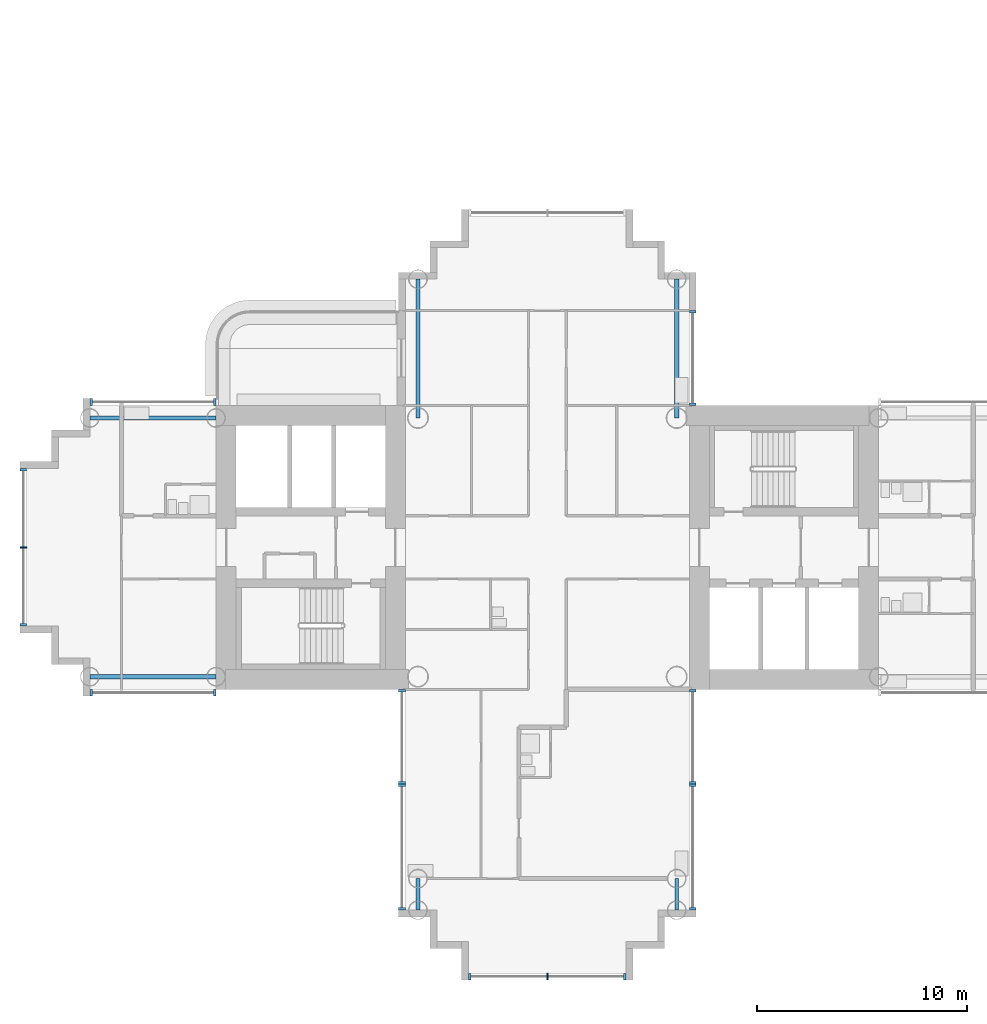
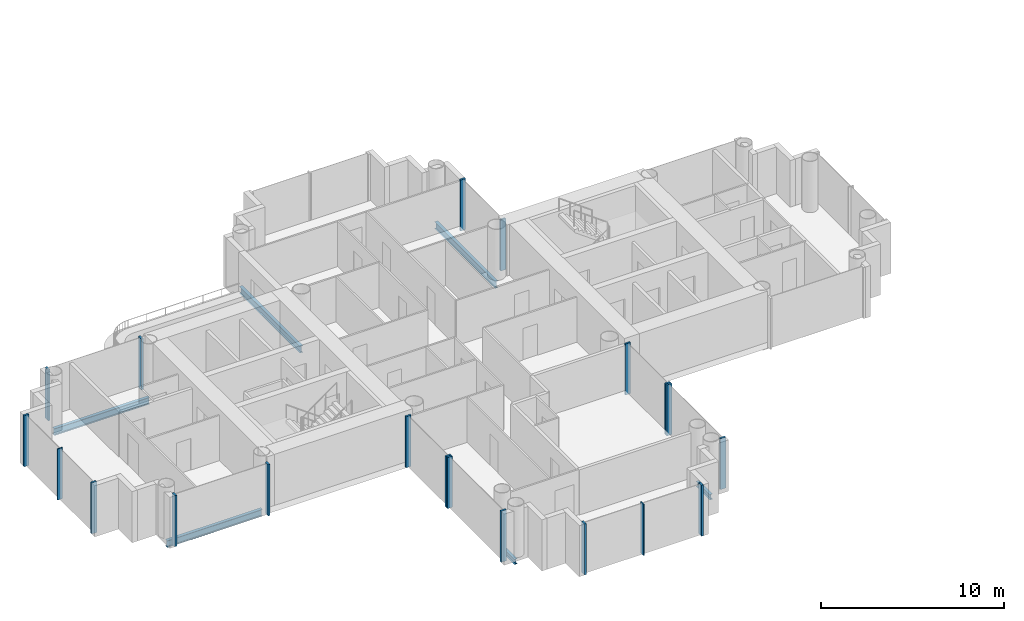
# One storey, part 3 of 21: 20 members, 6 beams, 9 elements without a shape of their own.
"""IFC4 building model written with IfcOpenShell, lengths in metres."""

from ifc_helpers import new_model, si_unit, direction, frame, origin, origin_2d, place, context, subcontext, project, spatial, rectangle, i_section, extrude, material, layer, layer_set, material_profile, profile_set, type_object, element, aggregate, save


model = new_model("IFC4")

# Units and contexts
model_context = context("Model", 3, precision=1e-05, world=origin(), true_north=direction((0.0, 1.0)))
body_context = subcontext(model_context, "Body", "Model", "MODEL_VIEW")
ifc_project = project(units=[si_unit("LENGTHUNIT", "METRE"), si_unit("AREAUNIT", "SQUARE_METRE"), si_unit("VOLUMEUNIT", "CUBIC_METRE"), si_unit("PLANEANGLEUNIT", "RADIAN"), si_unit("MASSUNIT", "GRAM", prefix="KILO")], contexts=[model_context])

# Site, building, storey
site_placement = place(None, origin())
site = spatial("IfcSite", under=ifc_project, at=site_placement, CompositionType="ELEMENT")
building_placement = place(site_placement, origin())
building = spatial("IfcBuilding", under=site, at=building_placement, Name="Ipe Terrace Towers", CompositionType="ELEMENT")
storey_placement = place(building_placement, frame((0.0, 0.0, 117.39990234375)))
storey = spatial("IfcBuildingStorey", under=building, at=storey_placement, Name="L32", CompositionType="ELEMENT", Elevation=117.39990234375)

# Beams
ifc_material_1 = material(Name="Steel S355", Category="steel")
ifc_material_profile_1 = material_profile(ifc_material_1, i_section(OverallWidth=0.175048828125, OverallDepth=0.35009765625, WebThickness=0.007080078125, FlangeThickness=0.010986328125, at=origin_2d()), Name="H-350x175x7x11")
ifc_profile_set_1 = profile_set([ifc_material_profile_1], Name="Steel S355")
beam_type_1 = type_object("IfcBeamType", Name="H04 EDGE BEAM H-350x175x7x11", PredefinedType="BEAM", material=ifc_profile_set_1)
for number, where, z_axis, x_axis, name in (
    (1, (-42.14990234375, -15.75, -0.574951171875), (0.0, -1.0, 0.0), (1.0, 0.0, 0.0), "Edge beam T1-EB-D03-D05"),
    (2, (-29.85009765625, -15.75, -0.574951171875), (0.0, -1.0, 0.0), (1.0, 0.0, 0.0), "Edge beam T1-EB-D04-D06"),
):
    element("IfcBeam", number, at=place(storey_placement, frame(where, z_axis=z_axis, x_axis=x_axis)), inside=storey, type_object=beam_type_1, Name=name, PredefinedType="BEAM", context=body_context, shape_type="SweptSolid", body=[
        extrude(i_section(OverallWidth=0.175048828125, OverallDepth=0.35009765625, WebThickness=0.007080078125, FlangeThickness=0.010986328125, at=origin_2d()), origin(), (0.0, 0.0, 1.0), 1.5),
    ])
ifc_material_2 = material(Name="Steel S355", Category="steel")
ifc_material_profile_2 = material_profile(ifc_material_2, i_section(OverallWidth=0.199951171875, OverallDepth=0.449951171875, WebThickness=0.009033203125, FlangeThickness=0.013916015625, at=origin_2d()), Name="H-450x200x9x14")
ifc_profile_set_2 = profile_set([ifc_material_profile_2], Name="Steel S355")
beam_type_2 = type_object("IfcBeamType", Name="H08 EDGE BEAM H-450x200x9x14", PredefinedType="BEAM", material=ifc_profile_set_2)
for number, where, z_axis, x_axis, name in (
    (3, (-29.85009765625, 12.75, -0.625), (0.0, -1.0, 0.0), (1.0, 0.0, 0.0), "Edge beam T1-EB-B01-E03"),
    (4, (-42.14990234375, 12.75, -0.625), (0.0, -1.0, 0.0), (1.0, 0.0, 0.0), "Edge beam T1-EB-B02-E04"),
):
    element("IfcBeam", number, at=place(storey_placement, frame(where, z_axis=z_axis, x_axis=x_axis)), inside=storey, type_object=beam_type_2, Name=name, PredefinedType="BEAM", context=body_context, shape_type="SweptSolid", body=[
        extrude(i_section(OverallWidth=0.199951171875, OverallDepth=0.449951171875, WebThickness=0.009033203125, FlangeThickness=0.013916015625, at=origin_2d()), origin(), (0.0, 0.0, 1.0), 6.60009765625),
    ])
for number, where, z_axis, x_axis, name in (
    (5, (-51.75, -6.14990234375, -0.625), (-1.0, 0.0, 0.0), (0.0, -1.0, 0.0), "Edge beam T1-EB-C01-C03"),
    (6, (-51.75, 6.14990234375, -0.625), (-1.0, 0.0, 0.0), (0.0, -1.0, 0.0), "Edge beam T1-EB-C02-C04"),
):
    element("IfcBeam", number, at=place(storey_placement, frame(where, z_axis=z_axis, x_axis=x_axis)), inside=storey, type_object=beam_type_2, Name=name, PredefinedType="BEAM", context=body_context, shape_type="SweptSolid", body=[
        extrude(i_section(OverallWidth=0.199951171875, OverallDepth=0.449951171875, WebThickness=0.009033203125, FlangeThickness=0.013916015625, at=origin_2d()), origin(), (0.0, 0.0, 1.0), 6.0),
    ])

# Curtain wall, members
ifc_material_3 = material(Name="Aluminium alloy 6063-T6", Category="aluminium")
ifc_layer = layer(ifc_material_3, 0.320068359375)
ifc_layer_set = layer_set([ifc_layer], Name="TOWER UNITISED CURTAIN WALL")
curtain_wall_type = type_object("IfcCurtainWallType", Name="TOWER UNITISED CURTAIN WALL", PredefinedType="NOTDEFINED", material=ifc_layer_set)
curtain_wall_1_placement = place(storey_placement, origin())
curtain_wall_1 = element("IfcCurtainWall", 7, at=curtain_wall_1_placement, inside=storey, type_object=curtain_wall_type, Name="T1-CW-L32-04a curtain wall", PredefinedType="NOTDEFINED")
ifc_material_4 = material(Name="Aluminium alloy 6063-T6", Category="aluminium")
ifc_material_profile_3 = material_profile(ifc_material_4, rectangle(XDim=0.320068359375, YDim=0.1201171875, at=origin_2d()), Name="TOWER UNITISED CORNER MULLION 320 x 120")
ifc_profile_set_3 = profile_set([ifc_material_profile_3], Name="Aluminium alloy 6063-T6")
member_type_1 = type_object("IfcMemberType", Name="TOWER UNITISED CORNER MULLION 320 x 120", PredefinedType="MULLION", material=ifc_profile_set_3)
member_1_placement = place(storey_placement, frame((-57.68994140625, -6.909912109375, -0.2998046875), z_axis=(0.0, 0.0, 1.0), x_axis=(0.0, -1.0, 0.0)))
member_1 = element("IfcMember", 8, at=member_1_placement, type_object=member_type_1, Name="T1-CW-L32-04a mullion 1", PredefinedType="MULLION", context=body_context, shape_type="SweptSolid", body=[
    extrude(rectangle(XDim=0.320068359375, YDim=0.1201171875, at=origin_2d()), origin(), (0.0, 0.0, 1.0), 3.39990234375),
])
member_2_placement = place(storey_placement, frame((-51.81103515625, -6.909912109375, -0.2998046875), z_axis=(0.0, 0.0, 1.0), x_axis=(0.0, -1.0, 0.0)))
member_2 = element("IfcMember", 9, at=member_2_placement, type_object=member_type_1, Name="T1-CW-L32-04a mullion 2", PredefinedType="MULLION", context=body_context, shape_type="SweptSolid", body=[
    extrude(rectangle(XDim=0.320068359375, YDim=0.1201171875, at=origin_2d()), origin(), (0.0, 0.0, 1.0), 3.39990234375),
])
aggregate(curtain_wall_1, [member_1, member_2])

curtain_wall_2_placement = place(storey_placement, origin())
curtain_wall_2 = element("IfcCurtainWall", 10, at=curtain_wall_2_placement, inside=storey, type_object=curtain_wall_type, Name="T1-CW-L32-06a curtain wall", PredefinedType="NOTDEFINED")
member_3_placement = place(storey_placement, frame((-42.909912109375, -6.81005859375, -0.2998046875), z_axis=(0.0, 0.0, 1.0), x_axis=(-1.0, 0.0, 0.0)))
member_3 = element("IfcMember", 11, at=member_3_placement, type_object=member_type_1, Name="T1-CW-L32-06a mullion 1", PredefinedType="MULLION", context=body_context, shape_type="SweptSolid", body=[
    extrude(rectangle(XDim=0.320068359375, YDim=0.1201171875, at=origin_2d()), origin(), (0.0, 0.0, 1.0), 3.39990234375),
])
member_4_placement = place(storey_placement, frame((-42.909912109375, -11.18994140625, -0.2998046875), z_axis=(0.0, 0.0, 1.0), x_axis=(-1.0, 0.0, 0.0)))
member_4 = element("IfcMember", 12, at=member_4_placement, type_object=member_type_1, Name="T1-CW-L32-06a mullion 2", PredefinedType="MULLION", context=body_context, shape_type="SweptSolid", body=[
    extrude(rectangle(XDim=0.320068359375, YDim=0.1201171875, at=origin_2d()), origin(), (0.0, 0.0, 1.0), 3.39990234375),
])
aggregate(curtain_wall_2, [member_3, member_4])

curtain_wall_3_placement = place(storey_placement, origin())
curtain_wall_3 = element("IfcCurtainWall", 13, at=curtain_wall_3_placement, inside=storey, type_object=curtain_wall_type, Name="T1-CW-L32-07a curtain wall", PredefinedType="NOTDEFINED")
member_5_placement = place(storey_placement, frame((-42.909912109375, -11.31005859375, -0.2998046875), z_axis=(0.0, 0.0, 1.0), x_axis=(-1.0, 0.0, 0.0)))
member_5 = element("IfcMember", 14, at=member_5_placement, type_object=member_type_1, Name="T1-CW-L32-07a mullion 1", PredefinedType="MULLION", context=body_context, shape_type="SweptSolid", body=[
    extrude(rectangle(XDim=0.320068359375, YDim=0.1201171875, at=origin_2d()), origin(), (0.0, 0.0, 1.0), 3.39990234375),
])
member_6_placement = place(storey_placement, frame((-42.909912109375, -17.18994140625, -0.2998046875), z_axis=(0.0, 0.0, 1.0), x_axis=(-1.0, 0.0, 0.0)))
member_6 = element("IfcMember", 15, at=member_6_placement, type_object=member_type_1, Name="T1-CW-L32-07a mullion 2", PredefinedType="MULLION", context=body_context, shape_type="SweptSolid", body=[
    extrude(rectangle(XDim=0.320068359375, YDim=0.1201171875, at=origin_2d()), origin(), (0.0, 0.0, 1.0), 3.39990234375),
])
aggregate(curtain_wall_3, [member_5, member_6])

curtain_wall_4_placement = place(storey_placement, origin())
curtain_wall_4 = element("IfcCurtainWall", 16, at=curtain_wall_4_placement, inside=storey, type_object=curtain_wall_type, Name="T1-CW-L32-12a curtain wall", PredefinedType="NOTDEFINED")
member_7_placement = place(storey_placement, frame((-39.68994140625, -20.409912109375, -0.2998046875), z_axis=(0.0, 0.0, 1.0), x_axis=(0.0, -1.0, 0.0)))
member_7 = element("IfcMember", 17, at=member_7_placement, type_object=member_type_1, Name="T1-CW-L32-12a mullion 1", PredefinedType="MULLION", context=body_context, shape_type="SweptSolid", body=[
    extrude(rectangle(XDim=0.320068359375, YDim=0.1201171875, at=origin_2d()), origin(), (0.0, 0.0, 1.0), 3.39990234375),
])
member_8_placement = place(storey_placement, frame((-32.31005859375, -20.409912109375, -0.2998046875), z_axis=(0.0, 0.0, 1.0), x_axis=(0.0, -1.0, 0.0)))
member_8 = element("IfcMember", 18, at=member_8_placement, type_object=member_type_1, Name="T1-CW-L32-12a mullion 3", PredefinedType="MULLION", context=body_context, shape_type="SweptSolid", body=[
    extrude(rectangle(XDim=0.320068359375, YDim=0.1201171875, at=origin_2d()), origin(), (0.0, 0.0, 1.0), 3.39990234375),
])

curtain_wall_5_placement = place(storey_placement, origin())
curtain_wall_5 = element("IfcCurtainWall", 19, at=curtain_wall_5_placement, inside=storey, type_object=curtain_wall_type, Name="T1-CW-L32-17a curtain wall", PredefinedType="NOTDEFINED")
member_9_placement = place(storey_placement, frame((-29.090087890625, -17.18994140625, -0.2998046875), z_axis=(0.0, 0.0, 1.0), x_axis=(1.0, 0.0, 0.0)))
member_9 = element("IfcMember", 20, at=member_9_placement, type_object=member_type_1, Name="T1-CW-L32-17a mullion 1", PredefinedType="MULLION", context=body_context, shape_type="SweptSolid", body=[
    extrude(rectangle(XDim=0.320068359375, YDim=0.1201171875, at=origin_2d()), origin(), (0.0, 0.0, 1.0), 3.39990234375),
])
member_10_placement = place(storey_placement, frame((-29.090087890625, -11.31005859375, -0.2998046875), z_axis=(0.0, 0.0, 1.0), x_axis=(1.0, 0.0, 0.0)))
member_10 = element("IfcMember", 21, at=member_10_placement, type_object=member_type_1, Name="T1-CW-L32-17a mullion 2", PredefinedType="MULLION", context=body_context, shape_type="SweptSolid", body=[
    extrude(rectangle(XDim=0.320068359375, YDim=0.1201171875, at=origin_2d()), origin(), (0.0, 0.0, 1.0), 3.39990234375),
])
aggregate(curtain_wall_5, [member_9, member_10])

curtain_wall_6_placement = place(storey_placement, origin())
curtain_wall_6 = element("IfcCurtainWall", 22, at=curtain_wall_6_placement, inside=storey, type_object=curtain_wall_type, Name="T1-CW-L32-18a curtain wall", PredefinedType="NOTDEFINED")
member_11_placement = place(storey_placement, frame((-29.090087890625, -11.18994140625, -0.2998046875), z_axis=(0.0, 0.0, 1.0), x_axis=(1.0, 0.0, 0.0)))
member_11 = element("IfcMember", 23, at=member_11_placement, type_object=member_type_1, Name="T1-CW-L32-18a mullion 1", PredefinedType="MULLION", context=body_context, shape_type="SweptSolid", body=[
    extrude(rectangle(XDim=0.320068359375, YDim=0.1201171875, at=origin_2d()), origin(), (0.0, 0.0, 1.0), 3.39990234375),
])
member_12_placement = place(storey_placement, frame((-29.090087890625, -6.81005859375, -0.2998046875), z_axis=(0.0, 0.0, 1.0), x_axis=(1.0, 0.0, 0.0)))
member_12 = element("IfcMember", 24, at=member_12_placement, type_object=member_type_1, Name="T1-CW-L32-18a mullion 2", PredefinedType="MULLION", context=body_context, shape_type="SweptSolid", body=[
    extrude(rectangle(XDim=0.320068359375, YDim=0.1201171875, at=origin_2d()), origin(), (0.0, 0.0, 1.0), 3.39990234375),
])
aggregate(curtain_wall_6, [member_11, member_12])

curtain_wall_7_placement = place(storey_placement, origin())
curtain_wall_7 = element("IfcCurtainWall", 25, at=curtain_wall_7_placement, inside=storey, type_object=curtain_wall_type, Name="T1-CW-L32-32a curtain wall", PredefinedType="NOTDEFINED")
member_13_placement = place(storey_placement, frame((-29.090087890625, 6.81005859375, -0.2998046875), z_axis=(0.0, 0.0, 1.0), x_axis=(1.0, 0.0, 0.0)))
member_13 = element("IfcMember", 26, at=member_13_placement, type_object=member_type_1, Name="T1-CW-L32-32a mullion 1", PredefinedType="MULLION", context=body_context, shape_type="SweptSolid", body=[
    extrude(rectangle(XDim=0.320068359375, YDim=0.1201171875, at=origin_2d()), origin(), (0.0, 0.0, 1.0), 3.39990234375),
])
member_14_placement = place(storey_placement, frame((-29.090087890625, 11.18994140625, -0.2998046875), z_axis=(0.0, 0.0, 1.0), x_axis=(1.0, 0.0, 0.0)))
member_14 = element("IfcMember", 27, at=member_14_placement, type_object=member_type_1, Name="T1-CW-L32-32a mullion 2", PredefinedType="MULLION", context=body_context, shape_type="SweptSolid", body=[
    extrude(rectangle(XDim=0.320068359375, YDim=0.1201171875, at=origin_2d()), origin(), (0.0, 0.0, 1.0), 3.39990234375),
])
aggregate(curtain_wall_7, [member_13, member_14])

curtain_wall_8_placement = place(storey_placement, origin())
curtain_wall_8 = element("IfcCurtainWall", 28, at=curtain_wall_8_placement, inside=storey, type_object=curtain_wall_type, Name="T1-CW-L32-46b curtain wall", PredefinedType="NOTDEFINED")
member_15_placement = place(storey_placement, frame((-51.81103515625, 6.909912109375, -0.2998046875), z_axis=(0.0, 0.0, 1.0), x_axis=(0.0, 1.0, 0.0)))
member_15 = element("IfcMember", 29, at=member_15_placement, type_object=member_type_1, Name="T1-CW-L32-46b mullion 1", PredefinedType="MULLION", context=body_context, shape_type="SweptSolid", body=[
    extrude(rectangle(XDim=0.320068359375, YDim=0.1201171875, at=origin_2d()), origin(), (0.0, 0.0, 1.0), 3.39990234375),
])
member_16_placement = place(storey_placement, frame((-57.68994140625, 6.909912109375, -0.2998046875), z_axis=(0.0, 0.0, 1.0), x_axis=(0.0, 1.0, 0.0)))
member_16 = element("IfcMember", 30, at=member_16_placement, type_object=member_type_1, Name="T1-CW-L32-46b mullion 2", PredefinedType="MULLION", context=body_context, shape_type="SweptSolid", body=[
    extrude(rectangle(XDim=0.320068359375, YDim=0.1201171875, at=origin_2d()), origin(), (0.0, 0.0, 1.0), 3.39990234375),
])
aggregate(curtain_wall_8, [member_15, member_16])

curtain_wall_9_placement = place(storey_placement, origin())
curtain_wall_9 = element("IfcCurtainWall", 31, at=curtain_wall_9_placement, inside=storey, type_object=curtain_wall_type, Name="T1-CW-L32-51a curtain wall", PredefinedType="NOTDEFINED")
member_17_placement = place(storey_placement, frame((-60.909912109375, 3.68994140625, -0.2998046875), z_axis=(0.0, 0.0, 1.0), x_axis=(-1.0, 0.0, 0.0)))
member_17 = element("IfcMember", 32, at=member_17_placement, type_object=member_type_1, Name="T1-CW-L32-51a mullion 1", PredefinedType="MULLION", context=body_context, shape_type="SweptSolid", body=[
    extrude(rectangle(XDim=0.320068359375, YDim=0.1201171875, at=origin_2d()), origin(), (0.0, 0.0, 1.0), 3.39990234375),
])
member_18_placement = place(storey_placement, frame((-60.909912109375, -3.68994140625, -0.2998046875), z_axis=(0.0, 0.0, 1.0), x_axis=(-1.0, 0.0, 0.0)))
member_18 = element("IfcMember", 33, at=member_18_placement, type_object=member_type_1, Name="T1-CW-L32-51a mullion 3", PredefinedType="MULLION", context=body_context, shape_type="SweptSolid", body=[
    extrude(rectangle(XDim=0.320068359375, YDim=0.1201171875, at=origin_2d()), origin(), (0.0, 0.0, 1.0), 3.39990234375),
])

# Member
ifc_material_5 = material(Name="Aluminium alloy 6063-T6", Category="aluminium")
ifc_material_profile_4 = material_profile(ifc_material_5, rectangle(XDim=0.320068359375, YDim=0.06494140625, at=origin_2d()), Name="TOWER UNITISED MULLION 320 x 65")
ifc_profile_set_4 = profile_set([ifc_material_profile_4], Name="Aluminium alloy 6063-T6")
member_type_2 = type_object("IfcMemberType", Name="TOWER UNITISED MULLION 320 x 65", PredefinedType="MULLION", material=ifc_profile_set_4)
member_19_placement = place(storey_placement, frame((-36.0, -20.409912109375, -0.2998046875), z_axis=(0.0, 0.0, 1.0), x_axis=(0.0, -1.0, 0.0)))
member_19 = element("IfcMember", 34, at=member_19_placement, type_object=member_type_2, Name="T1-CW-L32-12a mullion 2", PredefinedType="MULLION", context=body_context, shape_type="SweptSolid", body=[
    extrude(rectangle(XDim=0.320068359375, YDim=0.06494140625, at=origin_2d()), origin(), (0.0, 0.0, 1.0), 3.39990234375),
])

aggregate(curtain_wall_4, [member_7, member_19, member_8])

member_20_placement = place(storey_placement, frame((-60.909912109375, 0.0, -0.2998046875), z_axis=(0.0, 0.0, 1.0), x_axis=(-1.0, 0.0, 0.0)))
member_20 = element("IfcMember", 35, at=member_20_placement, type_object=member_type_2, Name="T1-CW-L32-51a mullion 2", PredefinedType="MULLION", context=body_context, shape_type="SweptSolid", body=[
    extrude(rectangle(XDim=0.320068359375, YDim=0.06494140625, at=origin_2d()), origin(), (0.0, 0.0, 1.0), 3.39990234375),
])

aggregate(curtain_wall_9, [member_17, member_20, member_18])

save(model, "model.ifc")
